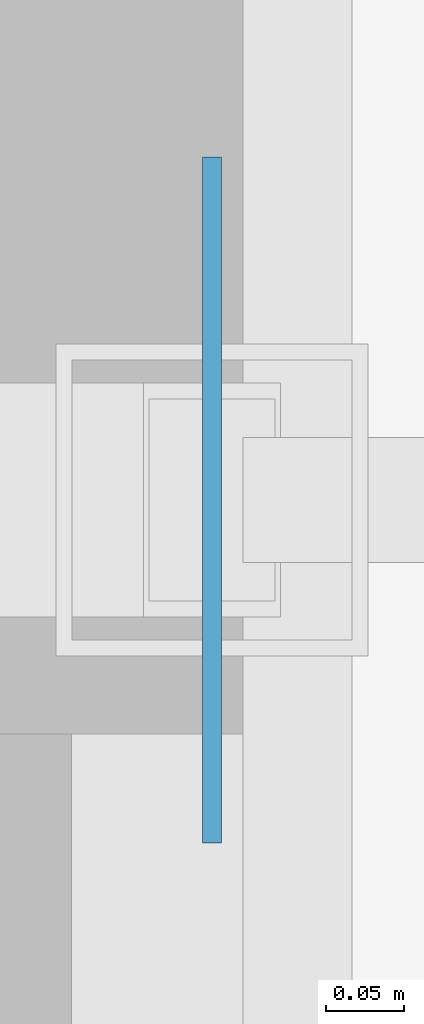
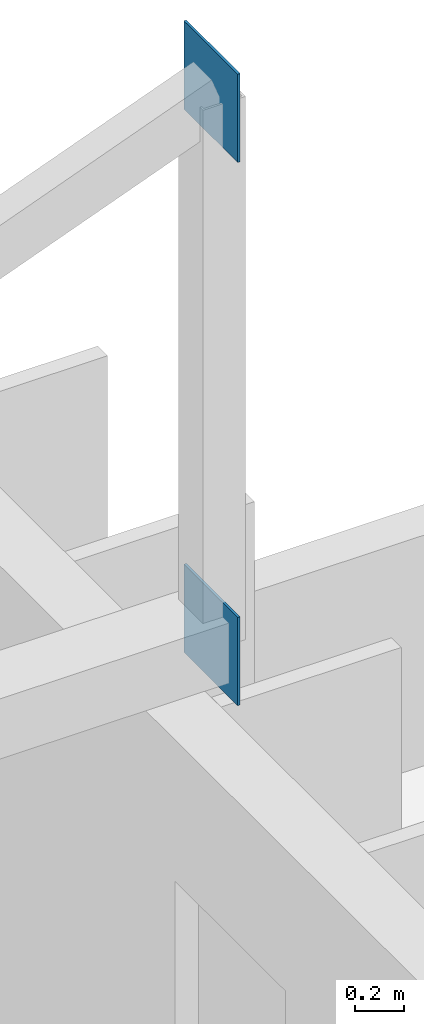
# One storey, part 36 of 52: 2 plates.
"""IFC4 building model written with IfcOpenShell, lengths in metres."""

import ifcopenshell
import ifcopenshell.guid

model = None  # the IFC model being written
_history = None  # IfcOwnerHistory: only IFC2X3 demands one
_inside = {}  # id of a spatial element -> (the spatial element, [elements in it])
_under = {}  # id of a project, library or spatial element -> (it, [spatial elements below it])
_declared = {}  # id of a project -> (the project, [libraries it declares])
_typed = {}  # id of a type object -> (the type object, [elements of that type])
_made_of = {}  # id of a material, layer set ... -> (it, [elements and type objects made of it])


def new_model(schema):
    """Start an empty IFC model of exactly this schema.

    Asked for "IFC4X3", IfcOpenShell would pick the latest addendum, in which some entities
    have other attributes; the version numbers below select the first issue.
    IFC2X3 requires an IfcOwnerHistory on every rooted entity: one is made here for all.
    """
    global model, _history
    if schema == "IFC4X3":
        model = ifcopenshell.file(schema_version=(4, 3, 0, 0))
    else:
        model = ifcopenshell.file(schema=schema)
    _inside.clear()
    _under.clear()
    _declared.clear()
    _typed.clear()
    _made_of.clear()
    _history = None
    if model.schema == "IFC2X3":
        org = make("IfcOrganization", Name="unknown")
        user = make(
            "IfcPersonAndOrganization",
            ThePerson=make("IfcPerson", FamilyName="unknown"),
            TheOrganization=org,
        )
        app = make(
            "IfcApplication",
            ApplicationDeveloper=org,
            Version="unknown",
            ApplicationFullName="unknown",
            ApplicationIdentifier="unknown",
        )
        _history = make(
            "IfcOwnerHistory",
            OwningUser=user,
            OwningApplication=app,
            ChangeAction="ADDED",
            CreationDate=0,
        )
    return model


def make(cls, **values):
    """One entity of the class cls with the attributes given. An attribute that is None is left unset."""
    return model.create_entity(
        cls, **{name: value for name, value in values.items() if value is not None}
    )


def rooted(cls, **values):
    """An entity with a GlobalId (a new one), such as an element, a storey or a relation."""
    return make(cls, GlobalId=ifcopenshell.guid.new(), OwnerHistory=_history, **values)


def si_unit(unit_type, name, prefix=None):
    """IfcSIUnit, for example si_unit("LENGTHUNIT", "METRE", prefix="MILLI")."""
    return make("IfcSIUnit", UnitType=unit_type, Prefix=prefix, Name=name)


def assignment(units):
    """IfcUnitAssignment: the units of a project."""
    return None if units is None else make("IfcUnitAssignment", Units=units)


def point(xyz):
    """IfcCartesianPoint."""
    return None if xyz is None else make("IfcCartesianPoint", Coordinates=xyz)


def direction(xyz):
    """IfcDirection."""
    return None if xyz is None else make("IfcDirection", DirectionRatios=xyz)


def frame(location, z_axis=None, x_axis=None):
    """IfcAxis2Placement3D, a coordinate frame: its origin and axes. An axis left out is left unset."""
    return make(
        "IfcAxis2Placement3D",
        Location=point(location),
        Axis=direction(z_axis),
        RefDirection=direction(x_axis),
    )


def frame_2d(location, x_axis=None):
    """IfcAxis2Placement2D, a coordinate frame in the plane: its origin and x axis."""
    return make(
        "IfcAxis2Placement2D", Location=point(location), RefDirection=direction(x_axis)
    )


def origin():
    """The frame at (0, 0, 0) with its axes left unset."""
    return frame((0.0, 0.0, 0.0))


def origin_2d():
    """The frame at (0, 0) in the plane with its x axis left unset."""
    return frame_2d((0.0, 0.0))


def place(relative_to, where):
    """IfcLocalPlacement: puts the frame where relative to a parent placement (None: the world)."""
    return make(
        "IfcLocalPlacement", PlacementRelTo=relative_to, RelativePlacement=where
    )


def context(
    kind, dimensions, precision=None, world=None, true_north=None, identifier=None
):
    """IfcGeometricRepresentationContext, for example the 3D "Model" context."""
    return make(
        "IfcGeometricRepresentationContext",
        ContextIdentifier=identifier,
        ContextType=kind,
        CoordinateSpaceDimension=dimensions,
        Precision=precision,
        WorldCoordinateSystem=world,
        TrueNorth=true_north,
    )


def subcontext(parent, identifier, kind, view, scale=None):
    """IfcGeometricRepresentationSubContext, for example "Body" below "Model"."""
    return make(
        "IfcGeometricRepresentationSubContext",
        ContextIdentifier=identifier,
        ContextType=kind,
        ParentContext=parent,
        TargetScale=scale,
        TargetView=view,
    )


def project(units=None, contexts=None):
    """IfcProject with its units and contexts."""
    return rooted(
        "IfcProject",
        Name="project",
        RepresentationContexts=contexts,
        UnitsInContext=assignment(units),
    )


def spatial(cls, under=None, at=None, **own):
    """A site, building, storey or space (cls), placed at a placement, below another one or the project."""
    s = rooted(cls, ObjectPlacement=at, **own)
    if under is not None:
        _under.setdefault(under.id(), (under, []))[1].append(s)
    return s


def profile(cls, at=None, kind="AREA", **sizes):
    """A parametric profile (cls). Its sizes go by their IFC names, for example OverallWidth=200.0."""
    return make(cls, ProfileType=kind, Position=at, **sizes)


def rectangle(**sizes):
    """IfcRectangleProfileDef."""
    return profile("IfcRectangleProfileDef", **sizes)


def extrude(swept, where, along, depth):
    """IfcExtrudedAreaSolid: the profile swept, set in the frame where, extruded along a direction by depth."""
    return make(
        "IfcExtrudedAreaSolid",
        SweptArea=swept,
        Position=where,
        ExtrudedDirection=direction(along),
        Depth=depth,
    )


def shape(context_of_items, identifier, shape_type, items):
    """IfcShapeRepresentation: the items that make up one representation, for example the "Body"."""
    return make(
        "IfcShapeRepresentation",
        ContextOfItems=context_of_items,
        RepresentationIdentifier=identifier,
        RepresentationType=shape_type,
        Items=items,
    )


def material(Name=None, Category=None):
    """IfcMaterial."""
    return make("IfcMaterial", Name=Name, Category=Category)


def layer(
    of_material, thickness, ventilated=None, Name=None, Category=None, Priority=None
):
    """IfcMaterialLayer: one layer of a wall or slab, of a material (None: an air gap)."""
    return make(
        "IfcMaterialLayer",
        Material=of_material,
        LayerThickness=thickness,
        IsVentilated=ventilated,
        Name=Name,
        Category=Category,
        Priority=Priority,
    )


def layer_set(layers, Name=None):
    """IfcMaterialLayerSet."""
    return make("IfcMaterialLayerSet", MaterialLayers=layers, LayerSetName=Name)


def made_of(thing, what):
    """Note that an element or type object is made of a material, layer set ...; save() writes the relation."""
    if what is not None:
        _made_of.setdefault(what.id(), (what, []))[1].append(thing)
    return thing


def type_object(cls, material=None, **own):
    """A type object (cls), such as IfcWallType, which elements share."""
    return made_of(rooted(cls, **own), material)


def element(
    cls,
    number,
    at=None,
    inside=None,
    cuts=None,
    type_object=None,
    material=None,
    context=None,
    identifier="Body",
    shape_type=None,
    held_by="IfcProductDefinitionShape",
    body=None,
    shapes=None,
    **own,
):
    """One element of the class cls, such as IfcWall. Its Tag is "e" and its number.

    at: its placement. inside: the storey or other place that contains it. cuts: it is an
    opening in that element (IfcRelVoidsElement). A single representation is given by context,
    identifier, shape_type and body (its items); several are given by shapes. held_by: the class
    of the entity that holds the representations. save() writes the other relations.
    """
    e = rooted(cls, Tag="e%d" % number, ObjectPlacement=at, **own)
    if body is not None:
        shapes = [shape(context, identifier, shape_type, body)]
    if shapes is not None:
        e.Representation = make(held_by, Representations=shapes)
    if inside is not None:
        _inside.setdefault(inside.id(), (inside, []))[1].append(e)
    if cuts is not None:
        rooted(
            "IfcRelVoidsElement", RelatingBuildingElement=cuts, RelatedOpeningElement=e
        )
    if type_object is not None:
        _typed.setdefault(type_object.id(), (type_object, []))[1].append(e)
    return made_of(e, material)


def aggregate(whole, parts):
    """IfcRelAggregates: a whole, such as a stair, and the parts it consists of."""
    return rooted("IfcRelAggregates", RelatingObject=whole, RelatedObjects=parts)


def save(model, path):
    """Write the relations noted so far, then the file.

    IfcRelAggregates (storeys below a building ...), IfcRelContainedInSpatialStructure (elements
    in a storey), IfcRelDefinesByType, IfcRelAssociatesMaterial and IfcRelDeclares: one each for
    every whole, place, type object, material and project.
    """
    for whole, parts in _under.values():
        aggregate(whole, parts)
    for where, things in _inside.values():
        rooted(
            "IfcRelContainedInSpatialStructure",
            RelatedElements=things,
            RelatingStructure=where,
        )
    for kind, things in _typed.values():
        rooted("IfcRelDefinesByType", RelatedObjects=things, RelatingType=kind)
    for what, things in _made_of.values():
        rooted("IfcRelAssociatesMaterial", RelatedObjects=things, RelatingMaterial=what)
    for by, libraries in _declared.values():
        rooted("IfcRelDeclares", RelatingContext=by, RelatedDefinitions=libraries)
    model.write(path)


model = new_model("IFC4")

# Units and contexts
model_context = context("Model", 3, precision=1e-05, world=origin(), true_north=direction((0.0, 1.0)))
body_context = subcontext(model_context, "Body", "Model", "MODEL_VIEW")
ifc_project = project(units=[si_unit("LENGTHUNIT", "METRE"), si_unit("AREAUNIT", "SQUARE_METRE"), si_unit("VOLUMEUNIT", "CUBIC_METRE"), si_unit("PLANEANGLEUNIT", "RADIAN"), si_unit("MASSUNIT", "GRAM", prefix="KILO")], contexts=[model_context])

# Site, building, storey
site_placement = place(None, origin())
site = spatial("IfcSite", under=ifc_project, at=site_placement, CompositionType="ELEMENT")
building_placement = place(site_placement, origin())
building = spatial("IfcBuilding", under=site, at=building_placement, Name="Qelthora Terrace Specialist Clinic", CompositionType="ELEMENT")
storey_placement = place(building_placement, frame((0.0, 0.0, 17.39990234375)))
storey = spatial("IfcBuildingStorey", under=building, at=storey_placement, Name="L04", CompositionType="ELEMENT", Elevation=17.39990234375)

# Plates
ifc_material = material(Name="Steel S355", Category="steel")
ifc_layer = layer(ifc_material, 0.011962890625)
ifc_layer_set = layer_set([ifc_layer], Name="Steel S355")
plate_type = type_object("IfcPlateType", Name="PLT-CAP-360X360X12", PredefinedType="USERDEFINED", material=ifc_layer_set)
for number, where, z_axis, x_axis, name in (
    (1, (100.800048828125, 105.60009765625, 6.240234375), (0.0, 0.0, 1.0), (1.0, 0.0, 0.0), "Steel truss node plate GPLT-0141"),
    (2, (100.800048828125, 105.60009765625, 3.530029296875), (0.0, 0.0, 1.0), (1.0, 0.0, 0.0), "Steel truss node plate GPLT-0142"),
):
    element("IfcPlate", number, at=place(storey_placement, frame(where, z_axis=z_axis, x_axis=x_axis)), inside=storey, type_object=plate_type, Name=name, ObjectType="GUSSET PLATE", PredefinedType="USERDEFINED", context=body_context, shape_type="SweptSolid", body=[
        extrude(rectangle(XDim=0.011962890625, YDim=0.43994140625, at=origin_2d()), origin(), (0.0, 0.0, 1.0), 0.43994140625),
    ])

save(model, "model.ifc")
